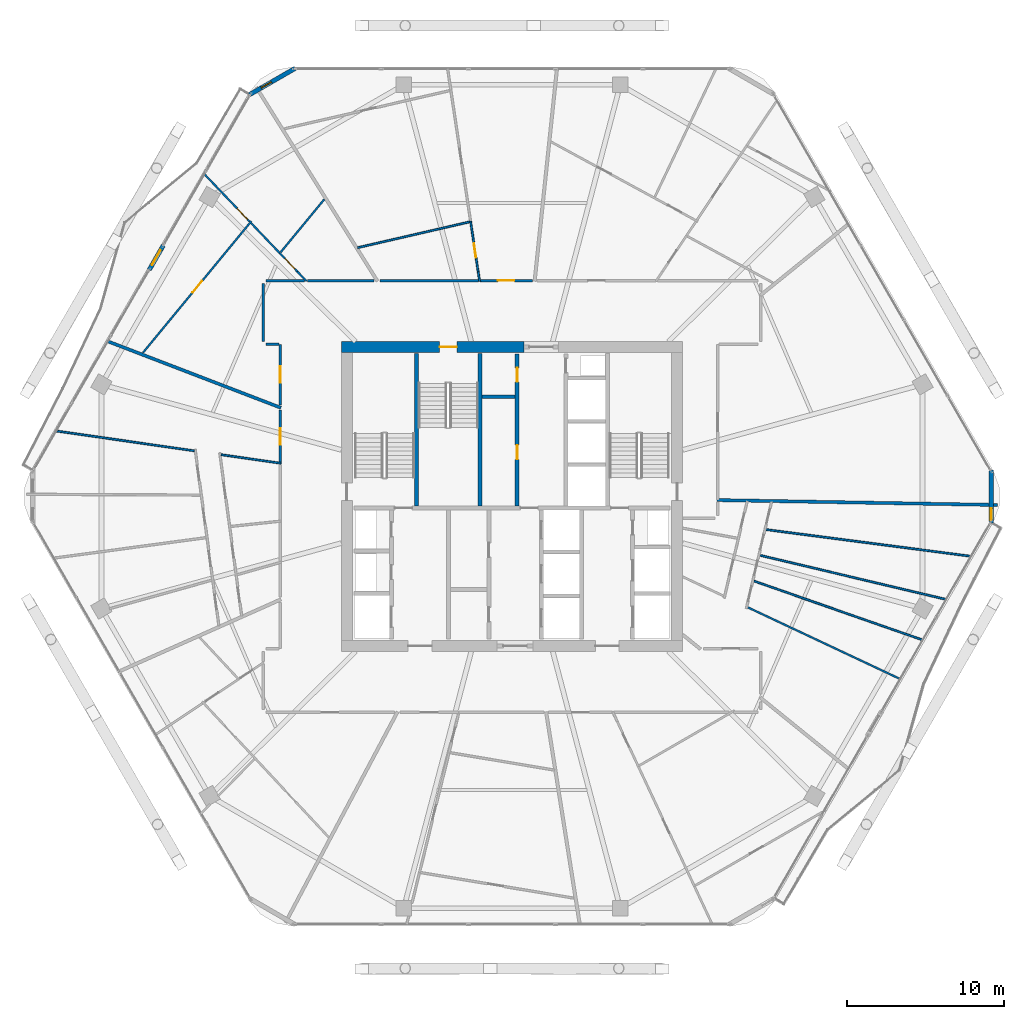
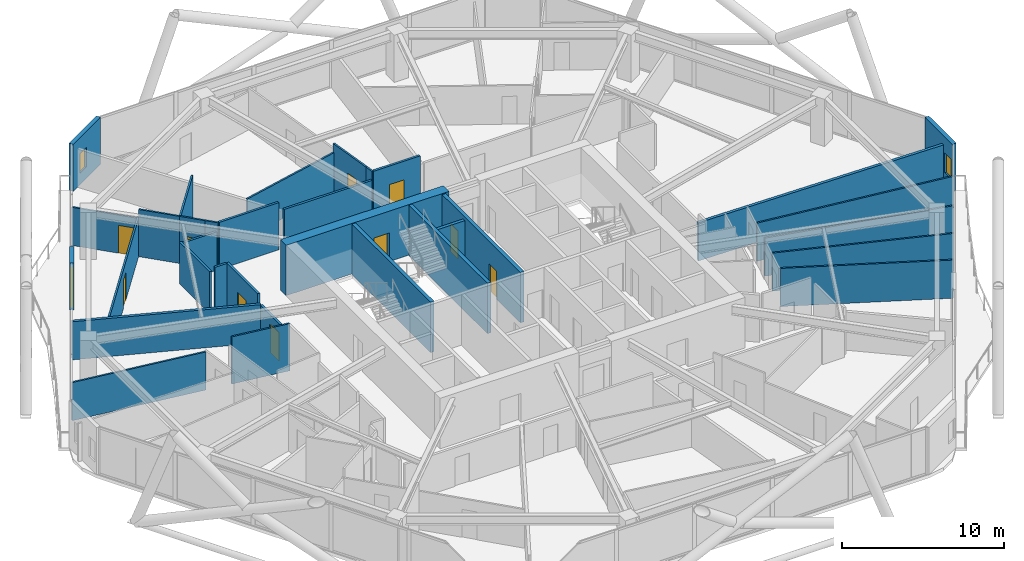
# One storey, part 25 of 30: 33 walls, 11 doors, 2 windows, 13 openings.
"""IFC4 building model written with IfcOpenShell, lengths in metres."""

from ifc_helpers import new_model, si_unit, direction, frame, frame_2d, origin, place, context, subcontext, project, spatial, rectangle, extrude, material, layer, layer_set, type_object, element, fill, save


model = new_model("IFC4")

# Units and contexts
model_context = context("Model", 3, precision=1e-05, world=origin(), true_north=direction((0.0, 1.0)))
body_context = subcontext(model_context, "Body", "Model", "MODEL_VIEW")
ifc_project = project(units=[si_unit("LENGTHUNIT", "METRE"), si_unit("AREAUNIT", "SQUARE_METRE"), si_unit("VOLUMEUNIT", "CUBIC_METRE"), si_unit("PLANEANGLEUNIT", "RADIAN"), si_unit("MASSUNIT", "GRAM", prefix="KILO")], contexts=[model_context])

# Site, building, storey
site_placement = place(None, origin())
site = spatial("IfcSite", under=ifc_project, at=site_placement, CompositionType="ELEMENT")
building_placement = place(site_placement, origin())
building = spatial("IfcBuilding", under=site, at=building_placement, Name="Zuhravey Tower", CompositionType="ELEMENT")
storey_placement = place(building_placement, frame((0.0, 0.0, 177.0)))
storey = spatial("IfcBuildingStorey", under=building, at=storey_placement, Name="L44", CompositionType="ELEMENT", Elevation=177.0)

# Wall, opening, door
ifc_material_1 = material(Name="Concrete C60/75", Category="concrete")
ifc_layer_1 = layer(ifc_material_1, 0.699951171875)
ifc_layer_set_1 = layer_set([ifc_layer_1], Name="Concrete C60/75")
wall_type_1 = type_object("IfcWallType", Name="Core Shear Wall 700", PredefinedType="SHEAR", material=ifc_layer_set_1)
wall_1_placement = place(storey_placement, frame((36.75, 41.5, 0.0), z_axis=(0.0, 0.0, 1.0), x_axis=(-1.0, 0.0, 0.0)))
wall_1 = element("IfcWall", 1, at=wall_1_placement, inside=storey, type_object=wall_type_1, Name="L44 North-West Core Shear Wall CW70", PredefinedType="SHEAR", context=body_context, shape_type="SweptSolid", body=[
    extrude(rectangle(XDim=11.60009765625, YDim=0.699951171875, at=frame_2d((5.800048828125, 0.0))), origin(), (0.0, 0.0, 1.0), 3.800048828125),
])
opening_1_placement = place(wall_1_placement, frame((4.25, 0.0, 0.0)))
opening_1 = element("IfcOpeningElement", 2, at=opening_1_placement, cuts=wall_1, Name="Opening STD1", PredefinedType="OPENING", context=body_context, shape_type="SweptSolid", body=[
    extrude(rectangle(XDim=1.10009765625, YDim=2.14990234375, at=frame_2d((0.550048828125, 1.074951171875))), frame((0.0, 0.362060546875, 0.0), z_axis=(0.0, -1.0, 0.0), x_axis=(1.0, 0.0, 0.0)), (0.0, 0.0, 1.0), 0.723876953125),
])
ifc_material_2 = material(Name="Galvanised fire-rated steel leaf", Category="steel")
door_type_1 = type_object("IfcDoorType", Name="Protected Stair Fire Door 1100x2150", OperationType="NOTDEFINED", PredefinedType="USERDEFINED", material=ifc_material_2)
door_1_placement = place(opening_1_placement, origin())
door_1 = element("IfcDoor", 3, at=door_1_placement, inside=storey, type_object=door_type_1, Name="L44 Stair ST3 Door", ObjectType="EXITDOOR", OperationType="SINGLE_SWING_LEFT", OverallHeight=2.14990234375, OverallWidth=1.10009765625, PredefinedType="USERDEFINED", context=body_context, shape_type="SweptSolid", body=[
    extrude(rectangle(XDim=1.10009765625, YDim=2.14990234375, at=frame_2d((0.550048828125, 1.074951171875))), frame((0.0, 0.02490234375, 0.0), z_axis=(0.0, -1.0, 0.0), x_axis=(1.0, 0.0, 0.0)), (0.0, 0.0, 1.0), 0.050048828125),
])
fill(opening_1, door_1)

ifc_material_3 = material(Name="Gypsum fire-rated stud partition")
ifc_layer_2 = layer(ifc_material_3, 0.159912109375)
ifc_layer_set_2 = layer_set([ifc_layer_2], Name="Gypsum fire-rated stud partition")
wall_type_2 = type_object("IfcWallType", Name="Corridor Fire Partition 160", PredefinedType="PARTITIONING", material=ifc_layer_set_2)
wall_2_placement = place(storey_placement, frame((37.302001953125, 45.72998046875, 0.0), z_axis=(0.0, 0.0, 1.0), x_axis=(-1.0, 0.0, 0.0)))
wall_2 = element("IfcWall", 4, at=wall_2_placement, inside=storey, type_object=wall_type_2, Name="L44 IW16 Partition 029", PredefinedType="PARTITIONING", context=body_context, shape_type="SweptSolid", body=[
    extrude(rectangle(XDim=3.348388671875, YDim=0.159912109375, at=frame_2d((1.67431640625, 0.0))), origin(), (0.0, 0.0, 1.0), 3.550048828125),
])
opening_2_placement = place(wall_2_placement, frame((1.149169921875, 0.0, 0.0)))
opening_2 = element("IfcOpeningElement", 5, at=opening_2_placement, cuts=wall_2, Name="Opening APD1", PredefinedType="OPENING", context=body_context, shape_type="SweptSolid", body=[
    extrude(rectangle(XDim=1.050048828125, YDim=2.14990234375, at=frame_2d((0.52490234375, 1.074951171875))), frame((0.0, 0.092041015625, 0.0), z_axis=(0.0, -1.0, 0.0), x_axis=(1.0, 0.0, 0.0)), (0.0, 0.0, 1.0), 0.183837890625),
])
ifc_material_4 = material(Name="Solid-core oak fire-rated leaf")
door_type_2 = type_object("IfcDoorType", Name="Apartment Entrance Fire Door 1050x2150", OperationType="NOTDEFINED", PredefinedType="DOOR", material=ifc_material_4)
door_2_placement = place(opening_2_placement, frame((1.050048828125, 0.0, 0.0), z_axis=(0.0, 0.0, 1.0), x_axis=(-1.0, 0.0, 0.0)))
door_2 = element("IfcDoor", 6, at=door_2_placement, inside=storey, type_object=door_type_2, Name="L44 Door 029.1", OperationType="SINGLE_SWING_RIGHT", OverallHeight=2.14990234375, OverallWidth=1.050048828125, PredefinedType="DOOR", context=body_context, shape_type="SweptSolid", body=[
    extrude(rectangle(XDim=1.050048828125, YDim=2.14990234375, at=frame_2d((0.52490234375, 1.074951171875))), frame((0.0, 0.02490234375, 0.0), z_axis=(0.0, -1.0, 0.0), x_axis=(1.0, 0.0, 0.0)), (0.0, 0.0, 1.0), 0.050048828125),
])
fill(opening_2, door_2)

wall_3_placement = place(storey_placement, frame((21.27001953125, 41.669921875, 0.0), z_axis=(0.0, 0.0, 1.0), x_axis=(0.0, -1.0, 0.0)))
wall_3 = element("IfcWall", 7, at=wall_3_placement, inside=storey, type_object=wall_type_2, Name="L44 IW16 Partition 034", PredefinedType="PARTITIONING", context=body_context, shape_type="SweptSolid", body=[
    extrude(rectangle(XDim=3.84619140625, YDim=0.159912109375, at=frame_2d((1.923095703125, 0.0))), origin(), (0.0, 0.0, 1.0), 3.550048828125),
])
opening_3_placement = place(wall_3_placement, frame((1.398193359375, 0.0, 0.0)))
opening_3 = element("IfcOpeningElement", 8, at=opening_3_placement, cuts=wall_3, Name="Opening APD1", PredefinedType="OPENING", context=body_context, shape_type="SweptSolid", body=[
    extrude(rectangle(XDim=1.050048828125, YDim=2.14990234375, at=frame_2d((0.52490234375, 1.074951171875))), frame((0.0, 0.092041015625, 0.0), z_axis=(0.0, -1.0, 0.0), x_axis=(1.0, 0.0, 0.0)), (0.0, 0.0, 1.0), 0.183837890625),
])
door_3_placement = place(opening_3_placement, frame((1.050048828125, 0.0, 0.0), z_axis=(0.0, 0.0, 1.0), x_axis=(-1.0, 0.0, 0.0)))
door_3 = element("IfcDoor", 9, at=door_3_placement, inside=storey, type_object=door_type_2, Name="L44 Door 034.1", OperationType="SINGLE_SWING_RIGHT", OverallHeight=2.14990234375, OverallWidth=1.050048828125, PredefinedType="DOOR", context=body_context, shape_type="SweptSolid", body=[
    extrude(rectangle(XDim=1.050048828125, YDim=2.14990234375, at=frame_2d((0.52490234375, 1.074951171875))), frame((0.0, 0.02490234375, 0.0), z_axis=(0.0, -1.0, 0.0), x_axis=(1.0, 0.0, 0.0)), (0.0, 0.0, 1.0), 0.050048828125),
])
fill(opening_3, door_3)

wall_4_placement = place(storey_placement, frame((21.27001953125, 37.486083984375, 0.0), z_axis=(0.0, 0.0, 1.0), x_axis=(0.0, -1.0, 0.0)))
wall_4 = element("IfcWall", 10, at=wall_4_placement, inside=storey, type_object=wall_type_2, Name="L44 IW16 Partition 037", PredefinedType="PARTITIONING", context=body_context, shape_type="SweptSolid", body=[
    extrude(rectangle(XDim=3.348388671875, YDim=0.159912109375, at=frame_2d((1.67431640625, 0.0))), origin(), (0.0, 0.0, 1.0), 2.89990234375),
])
opening_4_placement = place(wall_4_placement, frame((1.149169921875, 0.0, 0.0)))
opening_4 = element("IfcOpeningElement", 11, at=opening_4_placement, cuts=wall_4, Name="Opening APD1", PredefinedType="OPENING", context=body_context, shape_type="SweptSolid", body=[
    extrude(rectangle(XDim=1.050048828125, YDim=2.14990234375, at=frame_2d((0.52490234375, 1.074951171875))), frame((0.0, 0.092041015625, 0.0), z_axis=(0.0, -1.0, 0.0), x_axis=(1.0, 0.0, 0.0)), (0.0, 0.0, 1.0), 0.183837890625),
])
door_4_placement = place(opening_4_placement, frame((1.050048828125, 0.0, 0.0), z_axis=(0.0, 0.0, 1.0), x_axis=(-1.0, 0.0, 0.0)))
door_4 = element("IfcDoor", 12, at=door_4_placement, inside=storey, type_object=door_type_2, Name="L44 Door 037.1", OperationType="SINGLE_SWING_RIGHT", OverallHeight=2.14990234375, OverallWidth=1.050048828125, PredefinedType="DOOR", context=body_context, shape_type="SweptSolid", body=[
    extrude(rectangle(XDim=1.050048828125, YDim=2.14990234375, at=frame_2d((0.52490234375, 1.074951171875))), frame((0.0, 0.02490234375, 0.0), z_axis=(0.0, -1.0, 0.0), x_axis=(1.0, 0.0, 0.0)), (0.0, 0.0, 1.0), 0.050048828125),
])
fill(opening_4, door_4)

# Walls
wall_5_placement = place(storey_placement, frame((33.864501953125, 45.72998046875, 0.0), z_axis=(0.0, 0.0, 1.0), x_axis=(-1.0, 0.0, 0.0)))
element("IfcWall", 13, at=wall_5_placement, inside=storey, type_object=wall_type_2, Name="L44 IW16 Partition 106", PredefinedType="PARTITIONING", context=body_context, shape_type="SweptSolid", body=[
    extrude(rectangle(XDim=6.2548828125, YDim=0.159912109375, at=frame_2d((3.12744140625, 0.0))), origin(), (0.0, 0.0, 1.0), 2.89990234375),
])
wall_6_placement = place(storey_placement, frame((20.169921875, 45.550048828125, 0.0), z_axis=(0.0, 0.0, 1.0), x_axis=(0.0, -1.0, 0.0)))
element("IfcWall", 14, at=wall_6_placement, inside=storey, type_object=wall_type_2, Name="L44 IW16 Partition 107", PredefinedType="PARTITIONING", context=body_context, shape_type="SweptSolid", body=[
    extrude(rectangle(XDim=3.699951171875, YDim=0.159912109375, at=frame_2d((1.85009765625, 0.0))), origin(), (0.0, 0.0, 1.0), 3.14990234375),
])
wall_7_placement = place(storey_placement, frame((22.8037109375, 45.72998046875, 0.0), z_axis=(0.0, 0.0, 1.0), x_axis=(-1.0, 0.0, 0.0)))
element("IfcWall", 15, at=wall_7_placement, inside=storey, type_object=wall_type_2, Name="L44 IW16 Partition 108", PredefinedType="PARTITIONING", context=body_context, shape_type="SweptSolid", body=[
    extrude(rectangle(XDim=2.45361328125, YDim=0.159912109375, at=frame_2d((1.226806640625, 0.0))), origin(), (0.0, 0.0, 1.0), 2.89990234375),
])
wall_8_placement = place(storey_placement, frame((20.35009765625, 41.669921875, 0.0), z_axis=(0.0, 0.0, 1.0), x_axis=(1.0, 0.0, 0.0)))
element("IfcWall", 16, at=wall_8_placement, inside=storey, type_object=wall_type_2, Name="L44 IW16 Partition 109", PredefinedType="PARTITIONING", context=body_context, shape_type="SweptSolid", body=[
    extrude(rectangle(XDim=0.831787109375, YDim=0.159912109375, at=frame_2d((0.416015625, 0.0))), origin(), (0.0, 0.0, 1.0), 3.550048828125),
])
wall_9_placement = place(storey_placement, frame((27.229248046875, 45.72998046875, 0.0), z_axis=(0.0, 0.0, 1.0), x_axis=(-1.0, 0.0, 0.0)))
element("IfcWall", 17, at=wall_9_placement, inside=storey, type_object=wall_type_2, Name="L44 IW16 Partition 110", PredefinedType="PARTITIONING", context=body_context, shape_type="SweptSolid", body=[
    extrude(rectangle(XDim=4.241455078125, YDim=0.159912109375, at=frame_2d((2.12060546875, 0.0))), origin(), (0.0, 0.0, 1.0), 3.550048828125),
])

# Wall, opening, door
ifc_material_5 = material(Name="Precast concrete C40/50", Category="concrete")
ifc_layer_3 = layer(ifc_material_5, 0.280029296875)
ifc_layer_set_3 = layer_set([ifc_layer_3], Name="Precast concrete C40/50")
wall_type_3 = type_object("IfcWallType", Name="Crown Architectural Wall 280", PredefinedType="SOLIDWALL", material=ifc_layer_set_3)
wall_10_placement = place(storey_placement, frame((12.93310546875, 46.413330078125, 0.0), z_axis=(0.0, 0.0, 1.0), x_axis=(0.500041240653, 0.866001592173, 0.0)))
wall_10 = element("IfcWall", 18, at=wall_10_placement, inside=storey, type_object=wall_type_3, Name="L44 Face 3 Facade Pier EW28-1", PredefinedType="SOLIDWALL", context=body_context, shape_type="SweptSolid", body=[
    extrude(rectangle(XDim=1.789794921875, YDim=0.280029296875, at=frame_2d((0.89501953125, 0.0))), origin(), (0.0, 0.0, 1.0), 3.550048828125),
])
opening_5_placement = place(wall_10_placement, frame((0.344970703125, 0.0, 0.0)))
opening_5 = element("IfcOpeningElement", 19, at=opening_5_placement, cuts=wall_10, Name="Opening BLD1", PredefinedType="OPENING", context=body_context, shape_type="SweptSolid", body=[
    extrude(rectangle(XDim=1.10009765625, YDim=2.199951171875, at=frame_2d((0.550048828125, 1.10009765625))), frame((0.0, 0.152099609375, 0.0), z_axis=(0.0, -1.0, 0.0), x_axis=(1.0, 0.0, 0.0)), (0.0, 0.0, 1.0), 0.303955078125),
])
ifc_material_6 = material(Name="Thermally broken aluminium and low-E glass", Category="aluminium")
door_type_3 = type_object("IfcDoorType", Name="Balcony & Sky-Tray Glazed Door 1100x2200", OperationType="NOTDEFINED", PredefinedType="DOOR", material=ifc_material_6)
door_5_placement = place(opening_5_placement, frame((1.10009765625, 0.0, 0.0), z_axis=(0.0, 0.0, 1.0), x_axis=(-1.0, 0.0, 0.0)))
door_5 = element("IfcDoor", 20, at=door_5_placement, inside=storey, type_object=door_type_3, Name="L44 Face 3 Wave Balcony Door", OperationType="SINGLE_SWING_RIGHT", OverallHeight=2.199951171875, OverallWidth=1.10009765625, PredefinedType="DOOR", context=body_context, shape_type="SweptSolid", body=[
    extrude(rectangle(XDim=1.10009765625, YDim=2.199951171875, at=frame_2d((0.550048828125, 1.10009765625))), frame((0.0, 0.02490234375, 0.0), z_axis=(0.0, -1.0, 0.0), x_axis=(1.0, 0.0, 0.0)), (0.0, 0.0, 1.0), 0.050048828125),
])
fill(opening_5, door_5)

# Wall, opening, window
wall_11_placement = place(storey_placement, frame((19.306884765625, 57.548095703125, 0.0), z_axis=(0.0, 0.0, 1.0), x_axis=(0.866020068361, 0.500009241111, 0.0)))
wall_11 = element("IfcWall", 21, at=wall_11_placement, inside=storey, type_object=wall_type_3, Name="L44 Rounded Corner Closure Wall EW28-08", PredefinedType="SOLIDWALL", context=body_context, shape_type="SweptSolid", body=[
    extrude(rectangle(XDim=3.365234375, YDim=0.280029296875, at=frame_2d((1.6826171875, 0.0))), origin(), (0.0, 0.0, 1.0), 3.550048828125),
])
opening_6_placement = place(wall_11_placement, frame((0.865966796875, 0.0, 0.85009765625)))
opening_6 = element("IfcOpeningElement", 22, at=opening_6_placement, cuts=wall_11, Name="Opening WN5", PredefinedType="OPENING", context=body_context, shape_type="SweptSolid", body=[
    extrude(rectangle(XDim=0.75, YDim=1.5, at=frame_2d((0.375, 0.75))), frame((0.0, 0.152099609375, 0.0), z_axis=(0.0, -1.0, 0.0), x_axis=(1.0, 0.0, 0.0)), (0.0, 0.0, 1.0), 0.303955078125),
])
ifc_material_7 = material(Name="Thermally broken aluminium and triple low-E glass", Category="aluminium")
window_type = type_object("IfcWindowType", Name="Residential Corner Casement Window 750x1500", PartitioningType="SINGLE_PANEL", PredefinedType="WINDOW", material=ifc_material_7)
window_1_placement = place(opening_6_placement, origin())
window_1 = element("IfcWindow", 23, at=window_1_placement, inside=storey, type_object=window_type, Name="L44 Corner Casement Window WN5-08.1", OverallHeight=1.5, OverallWidth=0.75, PartitioningType="SINGLE_PANEL", PredefinedType="WINDOW", context=body_context, shape_type="SweptSolid", body=[
    extrude(rectangle(XDim=0.75, YDim=1.5, at=frame_2d((0.375, 0.75))), frame((0.0, 0.030029296875, 0.0), z_axis=(0.0, -1.0, 0.0), x_axis=(1.0, 0.0, 0.0)), (0.0, 0.0, 1.0), 0.06005859375),
])
fill(opening_6, window_1)

wall_12_placement = place(storey_placement, frame((66.4716796875, 33.6826171875, 0.0), z_axis=(0.0, 0.0, 1.0), x_axis=(0.0, -1.0, 0.0)))
wall_12 = element("IfcWall", 24, at=wall_12_placement, inside=storey, type_object=wall_type_3, Name="L44 Rounded Corner Closure Wall EW28-12", PredefinedType="SOLIDWALL", context=body_context, shape_type="SweptSolid", body=[
    extrude(rectangle(XDim=3.365234375, YDim=0.280029296875, at=frame_2d((1.6826171875, 0.0))), origin(), (0.0, 0.0, 1.0), 3.550048828125),
])
opening_7_placement = place(wall_12_placement, frame((2.435791015625, 0.0, 0.85009765625)))
opening_7 = element("IfcOpeningElement", 25, at=opening_7_placement, cuts=wall_12, Name="Opening WN5", PredefinedType="OPENING", context=body_context, shape_type="SweptSolid", body=[
    extrude(rectangle(XDim=0.75, YDim=1.5, at=frame_2d((0.375, 0.75))), frame((0.0, 0.152099609375, 0.0), z_axis=(0.0, -1.0, 0.0), x_axis=(1.0, 0.0, 0.0)), (0.0, 0.0, 1.0), 0.303955078125),
])
window_2_placement = place(opening_7_placement, origin())
window_2 = element("IfcWindow", 26, at=window_2_placement, inside=storey, type_object=window_type, Name="L44 Corner Casement Window WN5-12.1", OverallHeight=1.5, OverallWidth=0.75, PartitioningType="SINGLE_PANEL", PredefinedType="WINDOW", context=body_context, shape_type="SweptSolid", body=[
    extrude(rectangle(XDim=0.75, YDim=1.5, at=frame_2d((0.375, 0.75))), frame((0.0, 0.030029296875, 0.0), z_axis=(0.0, -1.0, 0.0), x_axis=(1.0, 0.0, 0.0)), (0.0, 0.0, 1.0), 0.06005859375),
])
fill(opening_7, window_2)

# Walls
ifc_material_8 = material(Name="Concrete C50/60", Category="concrete")
ifc_layer_4 = layer(ifc_material_8, 0.25)
ifc_layer_set_4 = layer_set([ifc_layer_4], Name="Concrete C50/60")
wall_type_4 = type_object("IfcWallType", Name="Firefighting Shaft & Stair Wall 250", PredefinedType="SOLIDWALL", material=ifc_layer_set_4)
for number, where, z_axis, x_axis, name in (
    (27, (29.925048828125, 31.39990234375, 0.0), (0.0, 0.0, 1.0), (0.0, 1.0, 0.0), "L44 FW25 Shaft Wall 004"),
    (28, (33.97509765625, 31.39990234375, 0.0), (0.0, 0.0, 1.0), (0.0, 1.0, 0.0), "L44 FW25 Shaft Wall 005"),
):
    element("IfcWall", number, at=place(storey_placement, frame(where, z_axis=z_axis, x_axis=x_axis)), inside=storey, type_object=wall_type_4, Name=name, PredefinedType="SOLIDWALL", context=body_context, shape_type="SweptSolid", body=[
        extrude(rectangle(XDim=9.7001953125, YDim=0.25, at=frame_2d((4.85009765625, 0.0))), origin(), (0.0, 0.0, 1.0), 3.800048828125),
    ])

# Wall, openings, doors
wall_13_placement = place(storey_placement, frame((36.324951171875, 31.39990234375, 0.0), z_axis=(0.0, 0.0, 1.0), x_axis=(0.0, 1.0, 0.0)))
wall_13 = element("IfcWall", 29, at=wall_13_placement, inside=storey, type_object=wall_type_4, Name="L44 FW25 Shaft Wall 007", PredefinedType="SOLIDWALL", context=body_context, shape_type="SweptSolid", body=[
    extrude(rectangle(XDim=9.650146484375, YDim=0.25, at=frame_2d((4.8251953125, 0.0))), origin(), (0.0, 0.0, 1.0), 3.800048828125),
])
opening_8_placement = place(wall_13_placement, frame((2.965087890625, 0.0, 0.0)))
opening_8 = element("IfcOpeningElement", 30, at=opening_8_placement, cuts=wall_13, Name="Opening RSD1", PredefinedType="OPENING", context=body_context, shape_type="SweptSolid", body=[
    extrude(rectangle(XDim=0.89990234375, YDim=2.10009765625, at=frame_2d((0.449951171875, 1.050048828125))), frame((0.0, 0.136962890625, 0.0), z_axis=(0.0, -1.0, 0.0), x_axis=(1.0, 0.0, 0.0)), (0.0, 0.0, 1.0), 0.27392578125),
])
opening_9_placement = place(wall_13_placement, frame((7.885009765625, 0.0, 0.0)))
opening_9 = element("IfcOpeningElement", 31, at=opening_9_placement, cuts=wall_13, Name="Opening RSD1", PredefinedType="OPENING", context=body_context, shape_type="SweptSolid", body=[
    extrude(rectangle(XDim=0.89990234375, YDim=2.10009765625, at=frame_2d((0.449951171875, 1.050048828125))), frame((0.0, 0.136962890625, 0.0), z_axis=(0.0, -1.0, 0.0), x_axis=(1.0, 0.0, 0.0)), (0.0, 0.0, 1.0), 0.27392578125),
])
ifc_material_9 = material(Name="Galvanised fire-rated steel access leaf", Category="steel")
door_type_4 = type_object("IfcDoorType", Name="Riser & Shaft Access Fire Door 900x2100", OperationType="NOTDEFINED", PredefinedType="DOOR", material=ifc_material_9)
door_6_placement = place(opening_8_placement, origin())
door_6 = element("IfcDoor", 32, at=door_6_placement, inside=storey, type_object=door_type_4, Name="L44 Equipment and Refuse Store Door", OperationType="SINGLE_SWING_LEFT", OverallHeight=2.10009765625, OverallWidth=0.89990234375, PredefinedType="DOOR", context=body_context, shape_type="SweptSolid", body=[
    extrude(rectangle(XDim=0.89990234375, YDim=2.10009765625, at=frame_2d((0.449951171875, 1.050048828125))), frame((0.0, 0.02490234375, 0.0), z_axis=(0.0, -1.0, 0.0), x_axis=(1.0, 0.0, 0.0)), (0.0, 0.0, 1.0), 0.050048828125),
])
fill(opening_8, door_6)
door_7_placement = place(opening_9_placement, origin())
door_7 = element("IfcDoor", 33, at=door_7_placement, inside=storey, type_object=door_type_4, Name="L44 BMS Control Room Door", OperationType="SINGLE_SWING_RIGHT", OverallHeight=2.10009765625, OverallWidth=0.89990234375, PredefinedType="DOOR", context=body_context, shape_type="SweptSolid", body=[
    extrude(rectangle(XDim=0.89990234375, YDim=2.10009765625, at=frame_2d((0.449951171875, 1.050048828125))), frame((0.0, 0.02490234375, 0.0), z_axis=(0.0, -1.0, 0.0), x_axis=(1.0, 0.0, 0.0)), (0.0, 0.0, 1.0), 0.050048828125),
])
fill(opening_9, door_7)

# Walls
ifc_material_10 = material(Name="Gypsum double-stud party assembly")
ifc_layer_5 = layer(ifc_material_10, 0.199951171875)
ifc_layer_set_5 = layer_set([ifc_layer_5], Name="Gypsum double-stud party assembly")
wall_type_5 = type_object("IfcWallType", Name="Inter-Tenancy Party Wall 200", PredefinedType="PARTITIONING", material=ifc_layer_set_5)
wall_14_placement = place(storey_placement, frame((21.31005859375, 37.638916015625, 0.0), z_axis=(0.0, 0.0, 1.0), x_axis=(-0.93357709865, 0.358376618762, 0.0)))
element("IfcWall", 34, at=wall_14_placement, inside=storey, type_object=wall_type_5, Name="L44 IW20 Partition 073", PredefinedType="PARTITIONING", context=body_context, shape_type="SweptSolid", body=[
    extrude(rectangle(XDim=11.786865234375, YDim=0.199951171875, at=frame_2d((5.8935546875, 0.0))), origin(), (0.0, 0.0, 1.0), 2.8701171875),
])
wall_15_placement = place(storey_placement, frame((49.0400390625, 31.7724609375, 0.0), z_axis=(0.0, 0.0, 1.0), x_axis=(0.999847668402, -0.017453939101, 0.0)))
element("IfcWall", 35, at=wall_15_placement, inside=storey, type_object=wall_type_5, Name="L44 IW20 Partition 103", PredefinedType="PARTITIONING", context=body_context, shape_type="SweptSolid", body=[
    extrude(rectangle(XDim=17.8203125, YDim=0.199951171875, at=frame_2d((8.91015625, 0.0))), origin(), (0.0, 0.0, 1.0), 2.8701171875),
])
ifc_material_11 = material(Name="Gypsum acoustic stud assembly")
ifc_layer_6 = layer(ifc_material_11, 0.219970703125)
ifc_layer_set_6 = layer_set([ifc_layer_6], Name="Gypsum acoustic stud assembly")
wall_type_6 = type_object("IfcWallType", Name="School Acoustic Compartment Wall 220", PredefinedType="PARTITIONING", material=ifc_layer_set_6)
wall_16_placement = place(storey_placement, frame((34.10791015625, 38.35009765625, 0.0), z_axis=(0.0, 0.0, 1.0), x_axis=(1.0, 0.0, 0.0)))
element("IfcWall", 36, at=wall_16_placement, inside=storey, type_object=wall_type_6, Name="L44 IW22 Partition 055", PredefinedType="PARTITIONING", context=body_context, shape_type="SweptSolid", body=[
    extrude(rectangle(XDim=2.083984375, YDim=0.219970703125, at=frame_2d((1.0419921875, 0.0))), origin(), (0.0, 0.0, 1.0), 3.550048828125),
])

# Wall, opening, door
ifc_material_12 = material(Name="Gypsum metal-stud partition")
ifc_layer_7 = layer(ifc_material_12, 0.1201171875)
ifc_layer_set_7 = layer_set([ifc_layer_7], Name="Gypsum metal-stud partition")
wall_type_7 = type_object("IfcWallType", Name="Unit Internal Partition 120", PredefinedType="PARTITIONING", material=ifc_layer_set_7)
wall_17_placement = place(storey_placement, frame((33.84765625, 46.300048828125, 0.0), z_axis=(0.0, 0.0, 1.0), x_axis=(-0.148934116093, 0.988847121179, 0.0)))
wall_17 = element("IfcWall", 37, at=wall_17_placement, inside=storey, type_object=wall_type_7, Name="L44 IW12 Partition 026", PredefinedType="PARTITIONING", context=body_context, shape_type="SweptSolid", body=[
    extrude(rectangle(XDim=3.237548828125, YDim=0.1201171875, at=frame_2d((1.61865234375, 0.0))), origin(), (0.0, 0.0, 1.0), 3.550048828125),
])
opening_10_placement = place(wall_17_placement, frame((0.909912109375, 0.0, 0.0)))
opening_10 = element("IfcOpeningElement", 38, at=opening_10_placement, cuts=wall_17, Name="Opening WCD1", PredefinedType="OPENING", context=body_context, shape_type="SweptSolid", body=[
    extrude(rectangle(XDim=0.89990234375, YDim=2.10009765625, at=frame_2d((0.449951171875, 1.050048828125))), frame((0.0, 0.072021484375, 0.0), z_axis=(0.0, -1.0, 0.0), x_axis=(1.0, 0.0, 0.0)), (0.0, 0.0, 1.0), 0.14404296875),
])
ifc_material_13 = material(Name="Moisture-resistant timber leaf", Category="wood")
door_type_5 = type_object("IfcDoorType", Name="Bathroom & WC Internal Door 900x2100", OperationType="NOTDEFINED", PredefinedType="DOOR", material=ifc_material_13)
door_8_placement = place(opening_10_placement, origin())
door_8 = element("IfcDoor", 39, at=door_8_placement, inside=storey, type_object=door_type_5, Name="Apartment L44-02 Bathroom Door", OperationType="SINGLE_SWING_LEFT", OverallHeight=2.10009765625, OverallWidth=0.89990234375, PredefinedType="DOOR", context=body_context, shape_type="SweptSolid", body=[
    extrude(rectangle(XDim=0.89990234375, YDim=2.10009765625, at=frame_2d((0.449951171875, 1.050048828125))), frame((0.0, 0.02490234375, 0.0), z_axis=(0.0, -1.0, 0.0), x_axis=(1.0, 0.0, 0.0)), (0.0, 0.0, 1.0), 0.050048828125),
])
fill(opening_10, door_8)

wall_18_placement = place(storey_placement, frame((19.4296875, 49.5087890625, 0.0), z_axis=(0.0, 0.0, 1.0), x_axis=(-0.636077930037, -0.771624822643, 0.0)))
wall_18 = element("IfcWall", 40, at=wall_18_placement, inside=storey, type_object=wall_type_7, Name="L44 IW12 Partition 030", PredefinedType="PARTITIONING", context=body_context, shape_type="SweptSolid", body=[
    extrude(rectangle(XDim=10.848388671875, YDim=0.1201171875, at=frame_2d((5.42431640625, 0.0))), origin(), (0.0, 0.0, 1.0), 2.89990234375),
])
opening_11_placement = place(wall_18_placement, frame((4.94921875, 0.0, 0.0)))
opening_11 = element("IfcOpeningElement", 41, at=opening_11_placement, cuts=wall_18, Name="Opening IND1", PredefinedType="OPENING", context=body_context, shape_type="SweptSolid", body=[
    extrude(rectangle(XDim=0.949951171875, YDim=2.10009765625, at=frame_2d((0.47509765625, 1.050048828125))), frame((0.0, 0.072021484375, 0.0), z_axis=(0.0, -1.0, 0.0), x_axis=(1.0, 0.0, 0.0)), (0.0, 0.0, 1.0), 0.14404296875),
])
ifc_material_14 = material(Name="Painted engineered timber leaf", Category="wood")
door_type_6 = type_object("IfcDoorType", Name="Internal Room & Bedroom Door 950x2100", OperationType="NOTDEFINED", PredefinedType="DOOR", material=ifc_material_14)
door_9_placement = place(opening_11_placement, frame((0.949951171875, 0.0, 0.0), z_axis=(0.0, 0.0, 1.0), x_axis=(-1.0, 0.0, 0.0)))
door_9 = element("IfcDoor", 42, at=door_9_placement, inside=storey, type_object=door_type_6, Name="Apartment L44-03 Family Study Door", OperationType="SINGLE_SWING_LEFT", OverallHeight=2.10009765625, OverallWidth=0.949951171875, PredefinedType="DOOR", context=body_context, shape_type="SweptSolid", body=[
    extrude(rectangle(XDim=0.949951171875, YDim=2.10009765625, at=frame_2d((0.47509765625, 1.050048828125))), frame((0.0, 0.02490234375, 0.0), z_axis=(0.0, -1.0, 0.0), x_axis=(1.0, 0.0, 0.0)), (0.0, 0.0, 1.0), 0.050048828125),
])
fill(opening_11, door_9)

wall_19_placement = place(storey_placement, frame((22.353759765625, 46.300048828125, 0.0), z_axis=(0.0, 0.0, 1.0), x_axis=(-0.690394331583, 0.723433249801, 0.0)))
wall_19 = element("IfcWall", 43, at=wall_19_placement, inside=storey, type_object=wall_type_7, Name="L44 IW12 Partition 031", PredefinedType="PARTITIONING", context=body_context, shape_type="SweptSolid", body=[
    extrude(rectangle(XDim=1.640380859375, YDim=0.1201171875, at=frame_2d((0.8203125, 0.0))), origin(), (0.0, 0.0, 1.0), 3.550048828125),
])
opening_12_placement = place(wall_19_placement, frame((0.239013671875, 0.0, 0.0)))
opening_12 = element("IfcOpeningElement", 44, at=opening_12_placement, cuts=wall_19, Name="Opening WCD1", PredefinedType="OPENING", context=body_context, shape_type="SweptSolid", body=[
    extrude(rectangle(XDim=0.89990234375, YDim=2.10009765625, at=frame_2d((0.449951171875, 1.050048828125))), frame((0.0, 0.072021484375, 0.0), z_axis=(0.0, -1.0, 0.0), x_axis=(1.0, 0.0, 0.0)), (0.0, 0.0, 1.0), 0.14404296875),
])
door_10_placement = place(opening_12_placement, frame((0.89990234375, 0.0, 0.0), z_axis=(0.0, 0.0, 1.0), x_axis=(-1.0, 0.0, 0.0)))
door_10 = element("IfcDoor", 45, at=door_10_placement, inside=storey, type_object=door_type_5, Name="Apartment L44-03 Bathroom Door", OperationType="SINGLE_SWING_RIGHT", OverallHeight=2.10009765625, OverallWidth=0.89990234375, PredefinedType="DOOR", context=body_context, shape_type="SweptSolid", body=[
    extrude(rectangle(XDim=0.89990234375, YDim=2.10009765625, at=frame_2d((0.449951171875, 1.050048828125))), frame((0.0, 0.02490234375, 0.0), z_axis=(0.0, -1.0, 0.0), x_axis=(1.0, 0.0, 0.0)), (0.0, 0.0, 1.0), 0.050048828125),
])
fill(opening_12, door_10)

# Wall
wall_20_placement = place(storey_placement, frame((21.22119140625, 47.48681640625, 0.0), z_axis=(0.0, 0.0, 1.0), x_axis=(-0.690367102985, 0.723459233901, 0.0)))
element("IfcWall", 46, at=wall_20_placement, inside=storey, type_object=wall_type_7, Name="L44 IW12 Partition 032", PredefinedType="PARTITIONING", context=body_context, shape_type="SweptSolid", body=[
    extrude(rectangle(XDim=2.619140625, YDim=0.1201171875, at=frame_2d((1.3095703125, 0.0))), origin(), (0.0, 0.0, 1.0), 3.550048828125),
])

# Wall, opening, door
wall_21_placement = place(storey_placement, frame((19.318603515625, 49.480712890625, 0.0), z_axis=(0.0, 0.0, 1.0), x_axis=(-0.690401934282, 0.723425994238, 0.0)))
wall_21 = element("IfcWall", 47, at=wall_21_placement, inside=storey, type_object=wall_type_7, Name="L44 IW12 Partition 033", PredefinedType="PARTITIONING", context=body_context, shape_type="SweptSolid", body=[
    extrude(rectangle(XDim=4.16943359375, YDim=0.1201171875, at=frame_2d((2.084716796875, 0.0))), origin(), (0.0, 0.0, 1.0), 2.8701171875),
])
opening_13_placement = place(wall_21_placement, frame((0.206787109375, 0.0, 0.0)))
opening_13 = element("IfcOpeningElement", 48, at=opening_13_placement, cuts=wall_21, Name="Opening IND1", PredefinedType="OPENING", context=body_context, shape_type="SweptSolid", body=[
    extrude(rectangle(XDim=0.949951171875, YDim=2.10009765625, at=frame_2d((0.47509765625, 1.050048828125))), frame((0.0, 0.072021484375, 0.0), z_axis=(0.0, -1.0, 0.0), x_axis=(1.0, 0.0, 0.0)), (0.0, 0.0, 1.0), 0.14404296875),
])
door_11_placement = place(opening_13_placement, frame((0.949951171875, 0.0, 0.0), z_axis=(0.0, 0.0, 1.0), x_axis=(-1.0, 0.0, 0.0)))
door_11 = element("IfcDoor", 49, at=door_11_placement, inside=storey, type_object=door_type_6, Name="Apartment L44-03 Bedroom 1 Door", OperationType="SINGLE_SWING_LEFT", OverallHeight=2.10009765625, OverallWidth=0.949951171875, PredefinedType="DOOR", context=body_context, shape_type="SweptSolid", body=[
    extrude(rectangle(XDim=0.949951171875, YDim=2.10009765625, at=frame_2d((0.47509765625, 1.050048828125))), frame((0.0, 0.02490234375, 0.0), z_axis=(0.0, -1.0, 0.0), x_axis=(1.0, 0.0, 0.0)), (0.0, 0.0, 1.0), 0.050048828125),
])
fill(opening_13, door_11)

# Walls
wall_22_placement = place(storey_placement, frame((33.940185546875, 45.685302734375, 0.0), z_axis=(0.0, 0.0, 1.0), x_axis=(-0.148839731884, 0.988861332146, 0.0)))
element("IfcWall", 50, at=wall_22_placement, inside=storey, type_object=wall_type_7, Name="L44 IW12 Partition 067", PredefinedType="PARTITIONING", context=body_context, shape_type="SweptSolid", body=[
    extrude(rectangle(XDim=0.62158203125, YDim=0.1201171875, at=frame_2d((0.310791015625, 0.0))), origin(), (0.0, 0.0, 1.0), 3.550048828125),
])
wall_23_placement = place(storey_placement, frame((33.302978515625, 49.46142578125, 0.0), z_axis=(0.0, 0.0, 1.0), x_axis=(-0.97437372251, -0.224935210409, 0.0)))
element("IfcWall", 51, at=wall_23_placement, inside=storey, type_object=wall_type_7, Name="L44 IW12 Partition 069", PredefinedType="PARTITIONING", context=body_context, shape_type="SweptSolid", body=[
    extrude(rectangle(XDim=7.30126953125, YDim=0.1201171875, at=frame_2d((3.650634765625, 0.0))), origin(), (0.0, 0.0, 1.0), 2.89990234375),
])
wall_24_placement = place(storey_placement, frame((22.940673828125, 45.68505859375, 0.0), z_axis=(0.0, 0.0, 1.0), x_axis=(-0.690400608296, 0.723427259691, 0.0)))
element("IfcWall", 52, at=wall_24_placement, inside=storey, type_object=wall_type_7, Name="L44 IW12 Partition 071", PredefinedType="PARTITIONING", context=body_context, shape_type="SweptSolid", body=[
    extrude(rectangle(XDim=0.85009765625, YDim=0.1201171875, at=frame_2d((0.425048828125, 0.0))), origin(), (0.0, 0.0, 1.0), 3.550048828125),
])
wall_25_placement = place(storey_placement, frame((24.064697265625, 50.896728515625, 0.0), z_axis=(0.0, 0.0, 1.0), x_axis=(-0.636096479455, -0.771609531321, 0.0)))
element("IfcWall", 53, at=wall_25_placement, inside=storey, type_object=wall_type_7, Name="L44 IW12 Partition 072", PredefinedType="PARTITIONING", context=body_context, shape_type="SweptSolid", body=[
    extrude(rectangle(XDim=4.374267578125, YDim=0.1201171875, at=frame_2d((2.18701171875, 0.0))), origin(), (0.0, 0.0, 1.0), 3.550048828125),
])
wall_26_placement = place(storey_placement, frame((21.320068359375, 34.110107421875, 0.0), z_axis=(0.0, 0.0, 1.0), x_axis=(-0.989818700467, 0.142333903923, 0.0)))
element("IfcWall", 54, at=wall_26_placement, inside=storey, type_object=wall_type_7, Name="L44 IW12 Partition 079", PredefinedType="PARTITIONING", context=body_context, shape_type="SweptSolid", body=[
    extrude(rectangle(XDim=3.857666015625, YDim=0.1201171875, at=frame_2d((1.9287109375, 0.0))), origin(), (0.0, 0.0, 1.0), 3.550048828125),
])
wall_27_placement = place(storey_placement, frame((15.7978515625, 34.904052734375, 0.0), z_axis=(0.0, 0.0, 1.0), x_axis=(-0.989827080259, 0.142275616979, 0.0)))
element("IfcWall", 55, at=wall_27_placement, inside=storey, type_object=wall_type_7, Name="L44 IW12 Partition 080", PredefinedType="PARTITIONING", context=body_context, shape_type="SweptSolid", body=[
    extrude(rectangle(XDim=8.8818359375, YDim=0.1201171875, at=frame_2d((4.44091796875, 0.0))), origin(), (0.0, 0.0, 1.0), 2.8701171875),
])
wall_28_placement = place(storey_placement, frame((51.3837890625, 26.624755859375, 0.0), z_axis=(0.0, 0.0, 1.0), x_axis=(0.944033449878, -0.329849731714, 0.0)))
element("IfcWall", 56, at=wall_28_placement, inside=storey, type_object=wall_type_7, Name="L44 IW12 Partition 098", PredefinedType="PARTITIONING", context=body_context, shape_type="SweptSolid", body=[
    extrude(rectangle(XDim=11.382080078125, YDim=0.1201171875, at=frame_2d((5.69091796875, 0.0))), origin(), (0.0, 0.0, 1.0), 2.8701171875),
])
wall_29_placement = place(storey_placement, frame((51.771728515625, 28.260009765625, 0.0), z_axis=(0.0, 0.0, 1.0), x_axis=(0.973016228648, -0.230736687131, 0.0)))
element("IfcWall", 57, at=wall_29_placement, inside=storey, type_object=wall_type_7, Name="L44 IW12 Partition 099", PredefinedType="PARTITIONING", context=body_context, shape_type="SweptSolid", body=[
    extrude(rectangle(XDim=12.175537109375, YDim=0.1201171875, at=frame_2d((6.087890625, 0.0))), origin(), (0.0, 0.0, 1.0), 2.8701171875),
])
wall_30_placement = place(storey_placement, frame((52.159423828125, 29.8955078125, 0.0), z_axis=(0.0, 0.0, 1.0), x_axis=(0.991627193539, -0.129133686673, 0.0)))
element("IfcWall", 58, at=wall_30_placement, inside=storey, type_object=wall_type_7, Name="L44 IW12 Partition 100", PredefinedType="PARTITIONING", context=body_context, shape_type="SweptSolid", body=[
    extrude(rectangle(XDim=13.15478515625, YDim=0.1201171875, at=frame_2d((6.577392578125, 0.0))), origin(), (0.0, 0.0, 1.0), 2.8701171875),
])
wall_31_placement = place(storey_placement, frame((50.987548828125, 24.95361328125, 0.0), z_axis=(0.0, 0.0, 1.0), x_axis=(0.904984187351, -0.42544520287, 0.0)))
element("IfcWall", 59, at=wall_31_placement, inside=storey, type_object=wall_type_7, Name="L44 IW12 Partition 102", PredefinedType="PARTITIONING", context=body_context, shape_type="SweptSolid", body=[
    extrude(rectangle(XDim=10.72802734375, YDim=0.1201171875, at=frame_2d((5.364013671875, 0.0))), origin(), (0.0, 0.0, 1.0), 2.8701171875),
])

save(model, "model.ifc")
